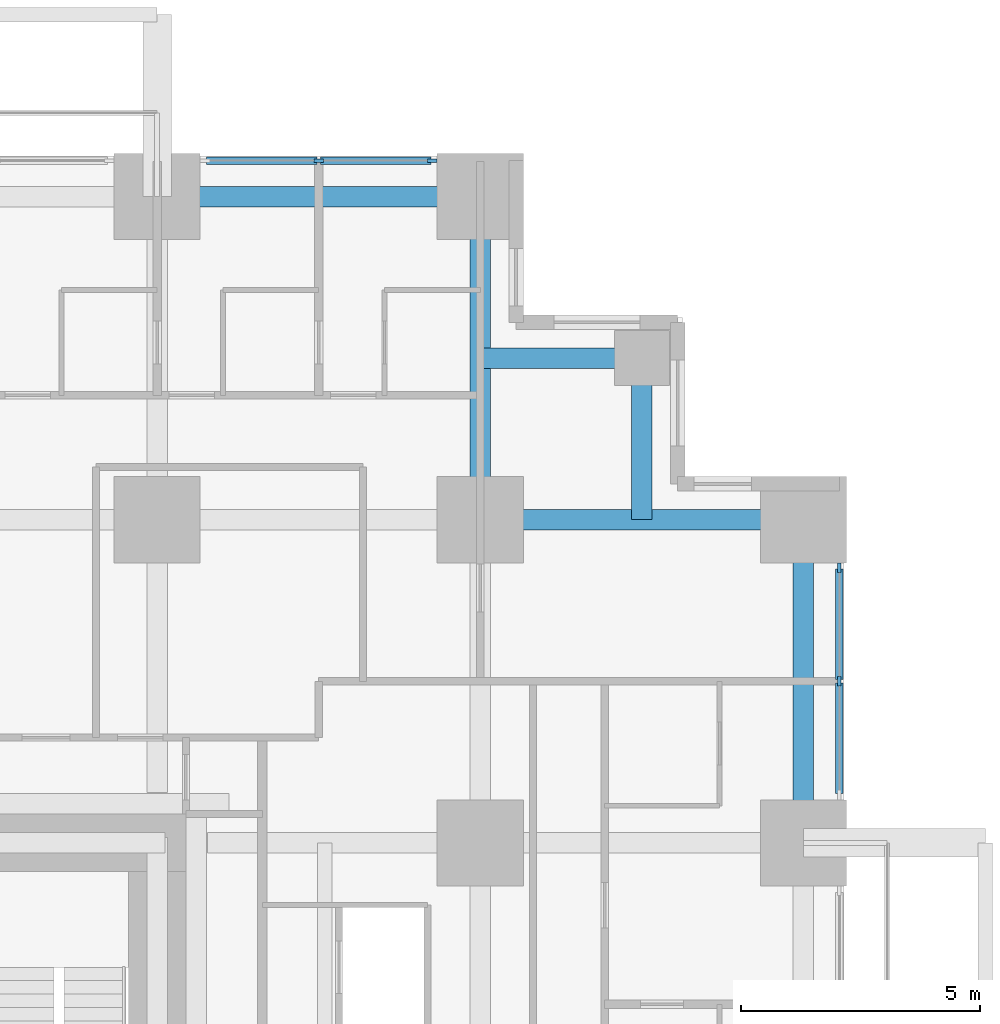
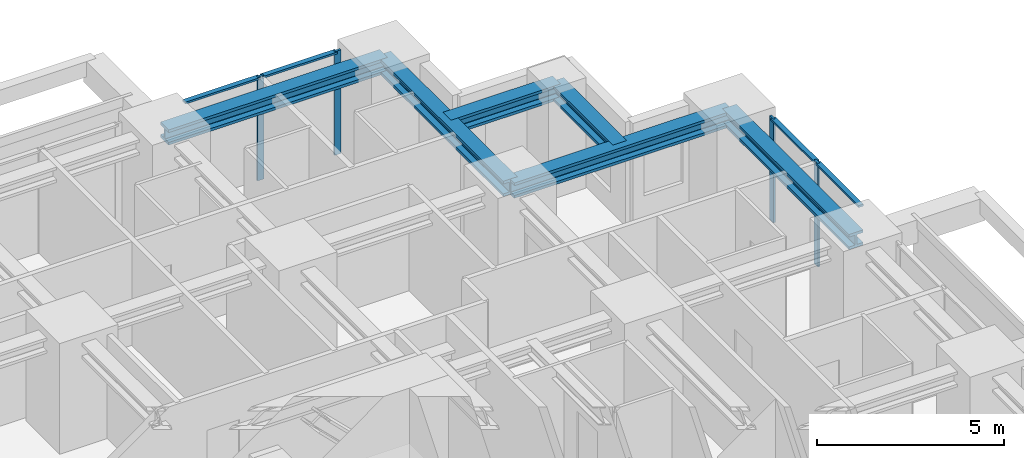
# One storey, part 6 of 14: 8 members, 6 beams, 2 elements without a shape of their own.
"""IFC4 building model written with IfcOpenShell, lengths in metres."""

import ifcopenshell
import ifcopenshell.guid

model = None  # the IFC model being written
_history = None  # IfcOwnerHistory: only IFC2X3 demands one
_inside = {}  # id of a spatial element -> (the spatial element, [elements in it])
_under = {}  # id of a project, library or spatial element -> (it, [spatial elements below it])
_declared = {}  # id of a project -> (the project, [libraries it declares])
_typed = {}  # id of a type object -> (the type object, [elements of that type])
_made_of = {}  # id of a material, layer set ... -> (it, [elements and type objects made of it])


def new_model(schema):
    """Start an empty IFC model of exactly this schema.

    Asked for "IFC4X3", IfcOpenShell would pick the latest addendum, in which some entities
    have other attributes; the version numbers below select the first issue.
    IFC2X3 requires an IfcOwnerHistory on every rooted entity: one is made here for all.
    """
    global model, _history
    if schema == "IFC4X3":
        model = ifcopenshell.file(schema_version=(4, 3, 0, 0))
    else:
        model = ifcopenshell.file(schema=schema)
    _inside.clear()
    _under.clear()
    _declared.clear()
    _typed.clear()
    _made_of.clear()
    _history = None
    if model.schema == "IFC2X3":
        org = make("IfcOrganization", Name="unknown")
        user = make(
            "IfcPersonAndOrganization",
            ThePerson=make("IfcPerson", FamilyName="unknown"),
            TheOrganization=org,
        )
        app = make(
            "IfcApplication",
            ApplicationDeveloper=org,
            Version="unknown",
            ApplicationFullName="unknown",
            ApplicationIdentifier="unknown",
        )
        _history = make(
            "IfcOwnerHistory",
            OwningUser=user,
            OwningApplication=app,
            ChangeAction="ADDED",
            CreationDate=0,
        )
    return model


def make(cls, **values):
    """One entity of the class cls with the attributes given. An attribute that is None is left unset."""
    return model.create_entity(
        cls, **{name: value for name, value in values.items() if value is not None}
    )


def rooted(cls, **values):
    """An entity with a GlobalId (a new one), such as an element, a storey or a relation."""
    return make(cls, GlobalId=ifcopenshell.guid.new(), OwnerHistory=_history, **values)


def si_unit(unit_type, name, prefix=None):
    """IfcSIUnit, for example si_unit("LENGTHUNIT", "METRE", prefix="MILLI")."""
    return make("IfcSIUnit", UnitType=unit_type, Prefix=prefix, Name=name)


def assignment(units):
    """IfcUnitAssignment: the units of a project."""
    return None if units is None else make("IfcUnitAssignment", Units=units)


def point(xyz):
    """IfcCartesianPoint."""
    return None if xyz is None else make("IfcCartesianPoint", Coordinates=xyz)


def direction(xyz):
    """IfcDirection."""
    return None if xyz is None else make("IfcDirection", DirectionRatios=xyz)


def frame(location, z_axis=None, x_axis=None):
    """IfcAxis2Placement3D, a coordinate frame: its origin and axes. An axis left out is left unset."""
    return make(
        "IfcAxis2Placement3D",
        Location=point(location),
        Axis=direction(z_axis),
        RefDirection=direction(x_axis),
    )


def frame_2d(location, x_axis=None):
    """IfcAxis2Placement2D, a coordinate frame in the plane: its origin and x axis."""
    return make(
        "IfcAxis2Placement2D", Location=point(location), RefDirection=direction(x_axis)
    )


def origin():
    """The frame at (0, 0, 0) with its axes left unset."""
    return frame((0.0, 0.0, 0.0))


def origin_2d():
    """The frame at (0, 0) in the plane with its x axis left unset."""
    return frame_2d((0.0, 0.0))


def place(relative_to, where):
    """IfcLocalPlacement: puts the frame where relative to a parent placement (None: the world)."""
    return make(
        "IfcLocalPlacement", PlacementRelTo=relative_to, RelativePlacement=where
    )


def context(
    kind, dimensions, precision=None, world=None, true_north=None, identifier=None
):
    """IfcGeometricRepresentationContext, for example the 3D "Model" context."""
    return make(
        "IfcGeometricRepresentationContext",
        ContextIdentifier=identifier,
        ContextType=kind,
        CoordinateSpaceDimension=dimensions,
        Precision=precision,
        WorldCoordinateSystem=world,
        TrueNorth=true_north,
    )


def subcontext(parent, identifier, kind, view, scale=None):
    """IfcGeometricRepresentationSubContext, for example "Body" below "Model"."""
    return make(
        "IfcGeometricRepresentationSubContext",
        ContextIdentifier=identifier,
        ContextType=kind,
        ParentContext=parent,
        TargetScale=scale,
        TargetView=view,
    )


def project(units=None, contexts=None):
    """IfcProject with its units and contexts."""
    return rooted(
        "IfcProject",
        Name="project",
        RepresentationContexts=contexts,
        UnitsInContext=assignment(units),
    )


def spatial(cls, under=None, at=None, **own):
    """A site, building, storey or space (cls), placed at a placement, below another one or the project."""
    s = rooted(cls, ObjectPlacement=at, **own)
    if under is not None:
        _under.setdefault(under.id(), (under, []))[1].append(s)
    return s


def profile(cls, at=None, kind="AREA", **sizes):
    """A parametric profile (cls). Its sizes go by their IFC names, for example OverallWidth=200.0."""
    return make(cls, ProfileType=kind, Position=at, **sizes)


def rectangle(**sizes):
    """IfcRectangleProfileDef."""
    return profile("IfcRectangleProfileDef", **sizes)


def i_section(**sizes):
    """IfcIShapeProfileDef."""
    return profile("IfcIShapeProfileDef", **sizes)


def extrude(swept, where, along, depth):
    """IfcExtrudedAreaSolid: the profile swept, set in the frame where, extruded along a direction by depth."""
    return make(
        "IfcExtrudedAreaSolid",
        SweptArea=swept,
        Position=where,
        ExtrudedDirection=direction(along),
        Depth=depth,
    )


def shape(context_of_items, identifier, shape_type, items):
    """IfcShapeRepresentation: the items that make up one representation, for example the "Body"."""
    return make(
        "IfcShapeRepresentation",
        ContextOfItems=context_of_items,
        RepresentationIdentifier=identifier,
        RepresentationType=shape_type,
        Items=items,
    )


def material(Name=None, Category=None):
    """IfcMaterial."""
    return make("IfcMaterial", Name=Name, Category=Category)


def material_profile(
    of_material, cross_section, Name=None, Category=None, Priority=None
):
    """IfcMaterialProfile: a cross section and its material."""
    return make(
        "IfcMaterialProfile",
        Name=Name,
        Material=of_material,
        Profile=cross_section,
        Priority=Priority,
        Category=Category,
    )


def profile_set(profiles, Name=None, composite=None):
    """IfcMaterialProfileSet."""
    return make(
        "IfcMaterialProfileSet",
        Name=Name,
        MaterialProfiles=profiles,
        CompositeProfile=composite,
    )


def made_of(thing, what):
    """Note that an element or type object is made of a material, layer set ...; save() writes the relation."""
    if what is not None:
        _made_of.setdefault(what.id(), (what, []))[1].append(thing)
    return thing


def type_object(cls, material=None, **own):
    """A type object (cls), such as IfcWallType, which elements share."""
    return made_of(rooted(cls, **own), material)


def element(
    cls,
    number,
    at=None,
    inside=None,
    cuts=None,
    type_object=None,
    material=None,
    context=None,
    identifier="Body",
    shape_type=None,
    held_by="IfcProductDefinitionShape",
    body=None,
    shapes=None,
    **own,
):
    """One element of the class cls, such as IfcWall. Its Tag is "e" and its number.

    at: its placement. inside: the storey or other place that contains it. cuts: it is an
    opening in that element (IfcRelVoidsElement). A single representation is given by context,
    identifier, shape_type and body (its items); several are given by shapes. held_by: the class
    of the entity that holds the representations. save() writes the other relations.
    """
    e = rooted(cls, Tag="e%d" % number, ObjectPlacement=at, **own)
    if body is not None:
        shapes = [shape(context, identifier, shape_type, body)]
    if shapes is not None:
        e.Representation = make(held_by, Representations=shapes)
    if inside is not None:
        _inside.setdefault(inside.id(), (inside, []))[1].append(e)
    if cuts is not None:
        rooted(
            "IfcRelVoidsElement", RelatingBuildingElement=cuts, RelatedOpeningElement=e
        )
    if type_object is not None:
        _typed.setdefault(type_object.id(), (type_object, []))[1].append(e)
    return made_of(e, material)


def aggregate(whole, parts):
    """IfcRelAggregates: a whole, such as a stair, and the parts it consists of."""
    return rooted("IfcRelAggregates", RelatingObject=whole, RelatedObjects=parts)


def save(model, path):
    """Write the relations noted so far, then the file.

    IfcRelAggregates (storeys below a building ...), IfcRelContainedInSpatialStructure (elements
    in a storey), IfcRelDefinesByType, IfcRelAssociatesMaterial and IfcRelDeclares: one each for
    every whole, place, type object, material and project.
    """
    for whole, parts in _under.values():
        aggregate(whole, parts)
    for where, things in _inside.values():
        rooted(
            "IfcRelContainedInSpatialStructure",
            RelatedElements=things,
            RelatingStructure=where,
        )
    for kind, things in _typed.values():
        rooted("IfcRelDefinesByType", RelatedObjects=things, RelatingType=kind)
    for what, things in _made_of.values():
        rooted("IfcRelAssociatesMaterial", RelatedObjects=things, RelatingMaterial=what)
    for by, libraries in _declared.values():
        rooted("IfcRelDeclares", RelatingContext=by, RelatedDefinitions=libraries)
    model.write(path)


model = new_model("IFC4")

# Units and contexts
model_context = context("Model", 3, precision=1e-05, world=origin(), true_north=direction((0.0, 1.0)))
body_context = subcontext(model_context, "Body", "Model", "MODEL_VIEW")
ifc_project = project(units=[si_unit("LENGTHUNIT", "METRE"), si_unit("AREAUNIT", "SQUARE_METRE"), si_unit("VOLUMEUNIT", "CUBIC_METRE"), si_unit("PLANEANGLEUNIT", "RADIAN"), si_unit("MASSUNIT", "GRAM", prefix="KILO")], contexts=[model_context])

# Site, building, storey
site_placement = place(None, origin())
site = spatial("IfcSite", under=ifc_project, at=site_placement, CompositionType="ELEMENT")
building_placement = place(site_placement, origin())
building = spatial("IfcBuilding", under=site, at=building_placement, Name="Nyansa Garden Tower", CompositionType="ELEMENT")
storey_placement = place(building_placement, frame((0.0, 0.0, 54.0)))
storey = spatial("IfcBuildingStorey", under=building, at=storey_placement, Name="L14", CompositionType="ELEMENT", Elevation=54.0)

# Curtain wall, members
ifc_material_1 = material(Name="Black anodised aluminium, dark tinted double glazing", Category="aluminium")
curtain_wall_type = type_object("IfcCurtainWallType", Name="Inner skin curtain wall ISW-A", PredefinedType="USERDEFINED", material=ifc_material_1)
curtain_wall_1_placement = place(storey_placement, origin())
curtain_wall_1 = element("IfcCurtainWall", 1, at=curtain_wall_1_placement, inside=storey, type_object=curtain_wall_type, Name="Inner skin curtain wall L14 E", ObjectType="UNITISED CURTAIN WALL", PredefinedType="USERDEFINED")
ifc_material_2 = material(Name="Black anodised aluminium", Category="aluminium")
ifc_material_profile_1 = material_profile(ifc_material_2, rectangle(XDim=0.06494140625, YDim=0.199951171875, at=origin_2d()), Name="Mullion 200x65")
ifc_profile_set_1 = profile_set([ifc_material_profile_1], Name="Black anodised aluminium")
member_type_1 = type_object("IfcMemberType", Name="Mullion ISW-A 200x65", PredefinedType="MULLION", material=ifc_profile_set_1)
member_1_placement = place(storey_placement, frame((41.25, 30.375, 0.0), z_axis=(0.0, 0.0, 1.0), x_axis=(-1.0, 0.0, 0.0)))
member_1 = element("IfcMember", 2, at=member_1_placement, type_object=member_type_1, Name="ISW-A mullion 2", PredefinedType="MULLION", context=body_context, shape_type="SweptSolid", body=[
    extrude(rectangle(XDim=0.06494140625, YDim=0.199951171875, at=origin_2d()), origin(), (0.0, 0.0, 1.0), 3.375),
])
member_2_placement = place(storey_placement, frame((41.25, 32.75, 0.0), z_axis=(0.0, 0.0, 1.0), x_axis=(-1.0, 0.0, 0.0)))
member_2 = element("IfcMember", 3, at=member_2_placement, type_object=member_type_1, Name="ISW-A mullion 3", PredefinedType="MULLION", context=body_context, shape_type="SweptSolid", body=[
    extrude(rectangle(XDim=0.06494140625, YDim=0.199951171875, at=origin_2d()), origin(), (0.0, 0.0, 1.0), 3.375),
])

curtain_wall_2_placement = place(storey_placement, origin())
curtain_wall_2 = element("IfcCurtainWall", 4, at=curtain_wall_2_placement, inside=storey, type_object=curtain_wall_type, Name="Inner skin curtain wall L14 N", ObjectType="UNITISED CURTAIN WALL", PredefinedType="USERDEFINED")
member_3_placement = place(storey_placement, frame((32.75, 41.25, 0.0), z_axis=(0.0, 0.0, 1.0), x_axis=(0.0, -1.0, 0.0)))
member_3 = element("IfcMember", 5, at=member_3_placement, type_object=member_type_1, Name="ISW-A mullion 1", PredefinedType="MULLION", context=body_context, shape_type="SweptSolid", body=[
    extrude(rectangle(XDim=0.06494140625, YDim=0.199951171875, at=origin_2d()), origin(), (0.0, 0.0, 1.0), 3.375),
])
member_4_placement = place(storey_placement, frame((30.375, 41.25, 0.0), z_axis=(0.0, 0.0, 1.0), x_axis=(0.0, -1.0, 0.0)))
member_4 = element("IfcMember", 6, at=member_4_placement, type_object=member_type_1, Name="ISW-A mullion 2", PredefinedType="MULLION", context=body_context, shape_type="SweptSolid", body=[
    extrude(rectangle(XDim=0.06494140625, YDim=0.199951171875, at=origin_2d()), origin(), (0.0, 0.0, 1.0), 3.375),
])

# Beams
ifc_material_3 = material(Name="Steel S355", Category="steel")
ifc_material_profile_2 = material_profile(ifc_material_3, i_section(OverallWidth=0.431884765625, OverallDepth=0.498046875, WebThickness=0.0556640625, FlangeThickness=0.0888671875, FilletRadius=0.014892578125, at=origin_2d()), Name="HD 400x744")
ifc_profile_set_2 = profile_set([ifc_material_profile_2], Name="Steel S355")
beam_type_1 = type_object("IfcBeamType", Name="Steel beam SBA1-744 HD 400x744", PredefinedType="BEAM", material=ifc_profile_set_2)
for number, where, z_axis, x_axis, name in (
    (7, (33.75, 33.75, 3.1259765625), (0.0, 1.0, 0.0), (-1.0, 0.0, 0.0), "Steel beam 7/J-7/K L15"),
    (8, (33.75, 33.75, 3.1259765625), (1.0, 0.0, 0.0), (0.0, 1.0, 0.0), "Steel beam 7/J-8/J L15"),
):
    element("IfcBeam", number, at=place(storey_placement, frame(where, z_axis=z_axis, x_axis=x_axis)), inside=storey, type_object=beam_type_1, Name=name, PredefinedType="BEAM", context=body_context, shape_type="SweptSolid", body=[
        extrude(i_section(OverallWidth=0.431884765625, OverallDepth=0.498046875, WebThickness=0.0556640625, FlangeThickness=0.0888671875, FilletRadius=0.014892578125, at=origin_2d()), origin(), (0.0, 0.0, 1.0), 6.75),
    ])
ifc_material_4 = material(Name="Steel S355", Category="steel")
ifc_material_profile_3 = material_profile(ifc_material_4, i_section(OverallWidth=0.431884765625, OverallDepth=0.498046875, WebThickness=0.0556640625, FlangeThickness=0.0888671875, FilletRadius=0.014892578125, at=origin_2d()), Name="HD 400x744")
ifc_profile_set_3 = profile_set([ifc_material_profile_3], Name="Steel S355")
beam_type_2 = type_object("IfcBeamType", Name="Steel beam SEBA-744 HD 400x744", PredefinedType="BEAM", material=ifc_profile_set_3)
for number, where, z_axis, x_axis, name in (
    (9, (27.0, 40.5, 3.1259765625), (1.0, 0.0, 0.0), (0.0, 1.0, 0.0), "Steel edge beam 6/K-7/K L15"),
    (10, (40.5, 27.0, 3.1259765625), (0.0, 1.0, 0.0), (-1.0, 0.0, 0.0), "Steel edge beam 8/H-8/J L15"),
):
    element("IfcBeam", number, at=place(storey_placement, frame(where, z_axis=z_axis, x_axis=x_axis)), inside=storey, type_object=beam_type_2, Name=name, PredefinedType="BEAM", context=body_context, shape_type="SweptSolid", body=[
        extrude(i_section(OverallWidth=0.431884765625, OverallDepth=0.498046875, WebThickness=0.0556640625, FlangeThickness=0.0888671875, FilletRadius=0.014892578125, at=origin_2d()), origin(), (0.0, 0.0, 1.0), 6.75),
    ])
ifc_material_5 = material(Name="Steel S355", Category="steel")
ifc_material_profile_4 = material_profile(ifc_material_5, i_section(OverallWidth=0.431884765625, OverallDepth=0.498046875, WebThickness=0.0556640625, FlangeThickness=0.0888671875, FilletRadius=0.014892578125, at=origin_2d()), Name="HD 400x744")
ifc_profile_set_4 = profile_set([ifc_material_profile_4], Name="Steel S355")
beam_type_3 = type_object("IfcBeamType", Name="Steel beam SSB1-744 HD 400x744", PredefinedType="BEAM", material=ifc_profile_set_4)
for number, where, z_axis, x_axis, name in (
    (11, (37.125, 37.125, 3.1259765625), (0.0, -1.0, 0.0), (1.0, 0.0, 0.0), "Steel step beam 37.125/37.125 L15"),
    (12, (37.125, 37.125, 3.1259765625), (-1.0, 0.0, 0.0), (0.0, -1.0, 0.0), "Steel step beam 37.125/37.125 L15"),
):
    element("IfcBeam", number, at=place(storey_placement, frame(where, z_axis=z_axis, x_axis=x_axis)), inside=storey, type_object=beam_type_3, Name=name, PredefinedType="BEAM", context=body_context, shape_type="SweptSolid", body=[
        extrude(i_section(OverallWidth=0.431884765625, OverallDepth=0.498046875, WebThickness=0.0556640625, FlangeThickness=0.0888671875, FilletRadius=0.014892578125, at=origin_2d()), origin(), (0.0, 0.0, 1.0), 3.375),
    ])

# Member
ifc_material_6 = material(Name="Black anodised aluminium", Category="aluminium")
ifc_material_profile_5 = material_profile(ifc_material_6, rectangle(XDim=0.14990234375, YDim=0.06494140625, at=origin_2d()), Name="Transom 150x65")
ifc_profile_set_5 = profile_set([ifc_material_profile_5], Name="Black anodised aluminium")
member_type_2 = type_object("IfcMemberType", Name="Transom ISW-A 150x65", PredefinedType="USERDEFINED", material=ifc_profile_set_5)
member_5_placement = place(storey_placement, frame((41.25, 28.032470703125, 3.342529296875), z_axis=(0.0, 1.0, 0.0), x_axis=(-1.0, 0.0, 0.0)))
member_5 = element("IfcMember", 13, at=member_5_placement, type_object=member_type_2, Name="ISW-A transom 1", ObjectType="TRANSOM", PredefinedType="USERDEFINED", context=body_context, shape_type="SweptSolid", body=[
    extrude(rectangle(XDim=0.14990234375, YDim=0.06494140625, at=origin_2d()), origin(), (0.0, 0.0, 1.0), 2.31005859375),
])

member_6_placement = place(storey_placement, frame((41.25, 30.407470703125, 3.342529296875), z_axis=(0.0, 1.0, 0.0), x_axis=(-1.0, 0.0, 0.0)))
member_6 = element("IfcMember", 14, at=member_6_placement, type_object=member_type_2, Name="ISW-A transom 2", ObjectType="TRANSOM", PredefinedType="USERDEFINED", context=body_context, shape_type="SweptSolid", body=[
    extrude(rectangle(XDim=0.14990234375, YDim=0.06494140625, at=origin_2d()), origin(), (0.0, 0.0, 1.0), 2.31005859375),
])

aggregate(curtain_wall_1, [member_1, member_2, member_5, member_6])

member_7_placement = place(storey_placement, frame((32.717529296875, 41.25, 3.342529296875), z_axis=(-1.0, 0.0, 0.0), x_axis=(0.0, -1.0, 0.0)))
member_7 = element("IfcMember", 15, at=member_7_placement, type_object=member_type_2, Name="ISW-A transom 1", ObjectType="TRANSOM", PredefinedType="USERDEFINED", context=body_context, shape_type="SweptSolid", body=[
    extrude(rectangle(XDim=0.14990234375, YDim=0.06494140625, at=origin_2d()), origin(), (0.0, 0.0, 1.0), 2.31005859375),
])

member_8_placement = place(storey_placement, frame((30.342529296875, 41.25, 3.342529296875), z_axis=(-1.0, 0.0, 0.0), x_axis=(0.0, -1.0, 0.0)))
member_8 = element("IfcMember", 16, at=member_8_placement, type_object=member_type_2, Name="ISW-A transom 2", ObjectType="TRANSOM", PredefinedType="USERDEFINED", context=body_context, shape_type="SweptSolid", body=[
    extrude(rectangle(XDim=0.14990234375, YDim=0.06494140625, at=origin_2d()), origin(), (0.0, 0.0, 1.0), 2.31005859375),
])

aggregate(curtain_wall_2, [member_3, member_4, member_7, member_8])

save(model, "model.ifc")
